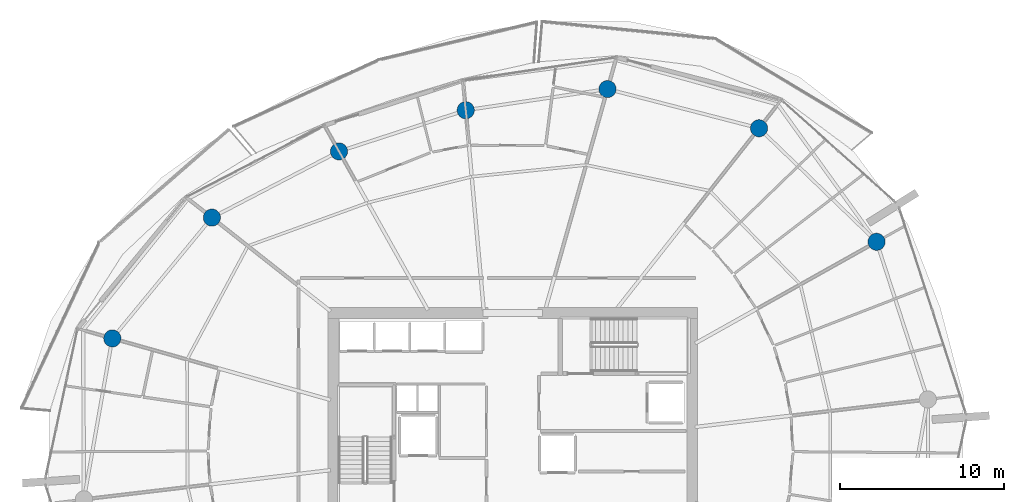
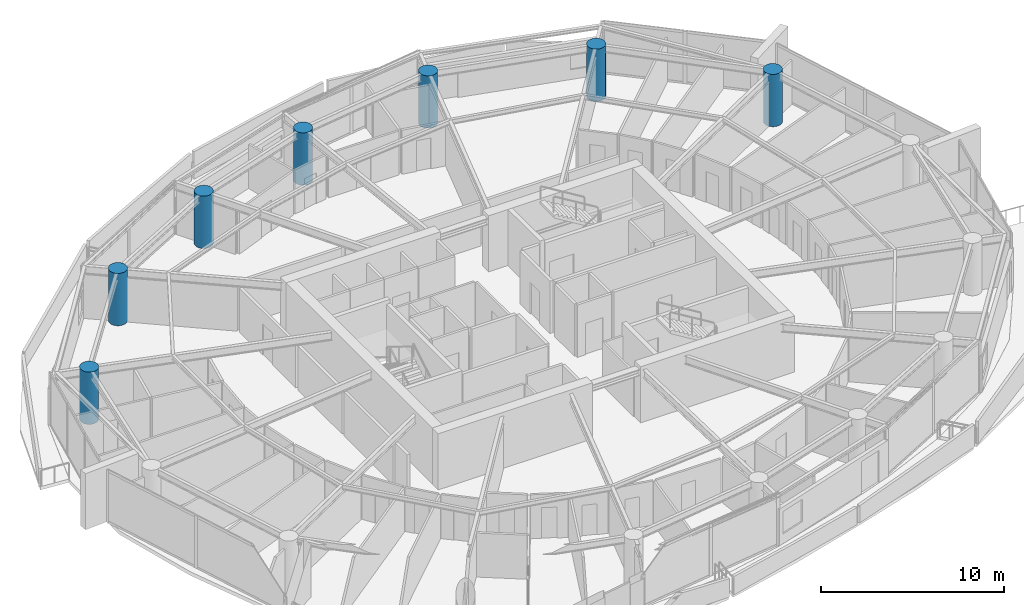
# One storey, part 4 of 21: 7 columns.
"""IFC4 building model written with IfcOpenShell, lengths in metres."""

from ifc_helpers import new_model, si_unit, direction, frame, origin, origin_2d, place, context, subcontext, project, spatial, circle, extrude, material, material_profile, profile_set, type_object, element, save


model = new_model("IFC4")

# Units and contexts
model_context = context("Model", 3, precision=1e-05, world=origin(), true_north=direction((0.0, 1.0)))
body_context = subcontext(model_context, "Body", "Model", "MODEL_VIEW")
ifc_project = project(units=[si_unit("LENGTHUNIT", "METRE"), si_unit("AREAUNIT", "SQUARE_METRE"), si_unit("VOLUMEUNIT", "CUBIC_METRE"), si_unit("PLANEANGLEUNIT", "RADIAN"), si_unit("MASSUNIT", "GRAM", prefix="KILO")], contexts=[model_context])

# Site, building, storey
site_placement = place(None, origin())
site = spatial("IfcSite", under=ifc_project, at=site_placement, CompositionType="ELEMENT")
building_placement = place(site_placement, origin())
building = spatial("IfcBuilding", under=site, at=building_placement, Name="Kazma Halo Residences", CompositionType="ELEMENT")
storey_placement = place(building_placement, frame((0.0, 0.0, 184.050048828125)))
storey = spatial("IfcBuildingStorey", under=building, at=storey_placement, Name="L46", CompositionType="ELEMENT", Elevation=184.050048828125)

# Columns
ifc_material = material(Name="Concrete C80/95", Category="concrete")
ifc_material_profile = material_profile(ifc_material, circle(Radius=0.52490234375, at=origin_2d()), Name="CIRC1050")
ifc_profile_set = profile_set([ifc_material_profile], Name="Concrete C80/95")
column_type = type_object("IfcColumnType", Name="COL-PERIM-1050", PredefinedType="COLUMN", material=ifc_profile_set)
for number, where, z_axis, x_axis, name in (
    (1, (70.625, 54.670654296875, 0.0), (0.0, 0.0, 1.0), (1.0, 0.0, 0.0), "L46 perimeter ring column P01"),
    (2, (63.45068359375, 61.598876953125, 0.0), (0.0, 0.0, 1.0), (1.0, 0.0, 0.0), "L46 perimeter ring column P02"),
    (3, (54.202392578125, 63.99169921875, 0.0), (0.0, 0.0, 1.0), (1.0, 0.0, 0.0), "L46 perimeter ring column P03"),
    (4, (45.550048828125, 62.69970703125, 0.0), (0.0, 0.0, 1.0), (1.0, 0.0, 0.0), "L46 perimeter ring column P04"),
    (5, (37.815185546875, 60.186279296875, 0.0), (0.0, 0.0, 1.0), (1.0, 0.0, 0.0), "L46 perimeter ring column P05"),
    (6, (30.055908203125, 56.14599609375, 0.0), (0.0, 0.0, 1.0), (1.0, 0.0, 0.0), "L46 perimeter ring column P06"),
    (7, (23.980224609375, 48.7744140625, 0.0), (0.0, 0.0, 1.0), (1.0, 0.0, 0.0), "L46 perimeter ring column P07"),
):
    element("IfcColumn", number, at=place(storey_placement, frame(where, z_axis=z_axis, x_axis=x_axis)), inside=storey, type_object=column_type, Name=name, PredefinedType="COLUMN", context=body_context, shape_type="SweptSolid", body=[
        extrude(circle(Radius=0.52490234375, at=origin_2d()), origin(), (0.0, 0.0, 1.0), 3.5),
    ])

save(model, "model.ifc")
